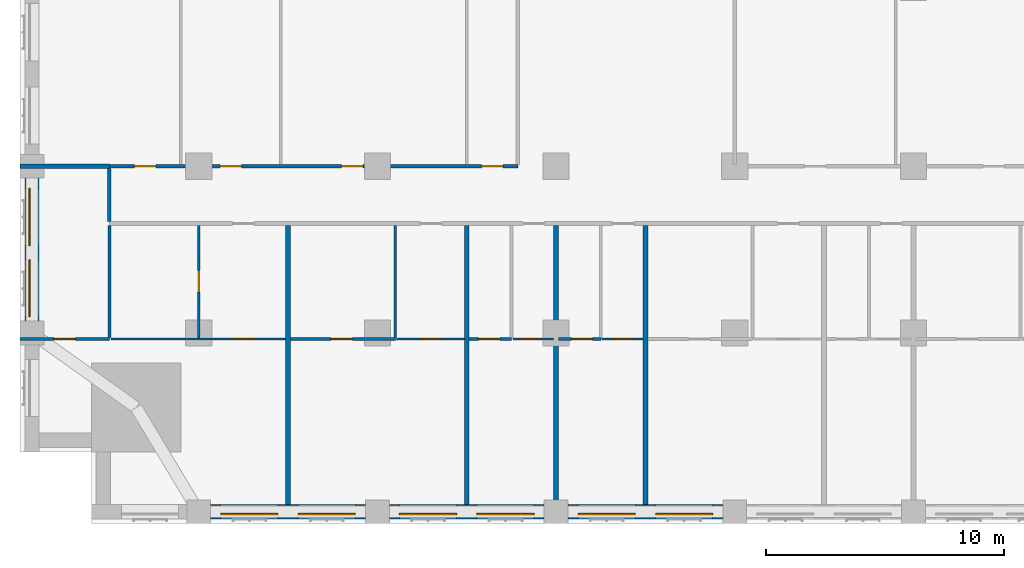
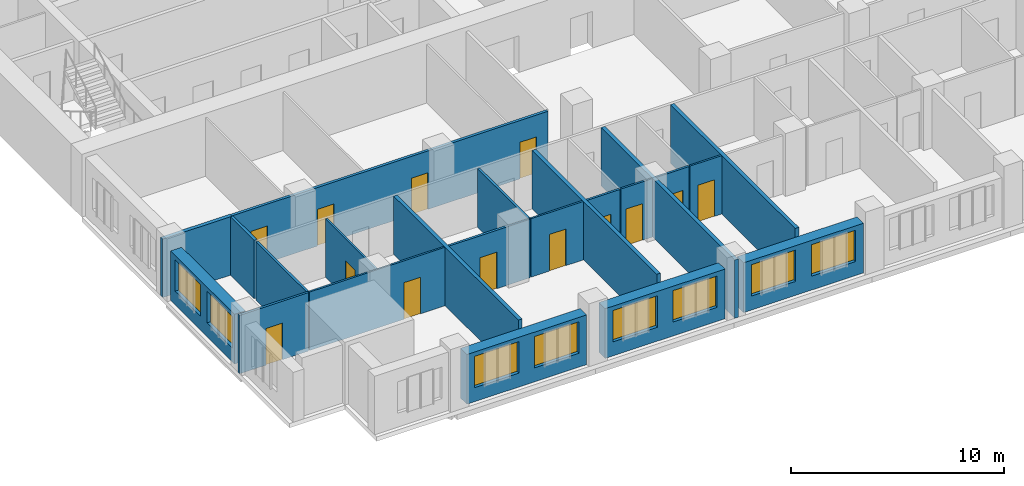
# One storey, part 4 of 14: 22 walls, 13 doors, 8 windows, 21 openings.
"""IFC4 building model written with IfcOpenShell, lengths in metres."""

from ifc_helpers import new_model, si_unit, direction, frame, frame_2d, origin, place, context, subcontext, project, spatial, rectangle, extrude, material, layer, layer_set, type_object, element, fill, save


model = new_model("IFC4")

# Units and contexts
model_context = context("Model", 3, precision=1e-05, world=origin(), true_north=direction((0.0, 1.0)))
body_context = subcontext(model_context, "Body", "Model", "MODEL_VIEW")
ifc_project = project(units=[si_unit("LENGTHUNIT", "METRE"), si_unit("AREAUNIT", "SQUARE_METRE"), si_unit("VOLUMEUNIT", "CUBIC_METRE"), si_unit("PLANEANGLEUNIT", "RADIAN"), si_unit("MASSUNIT", "GRAM", prefix="KILO")], contexts=[model_context])

# Site, building, storey
site_placement = place(None, origin())
site = spatial("IfcSite", under=ifc_project, at=site_placement, CompositionType="ELEMENT")
building_placement = place(site_placement, origin())
building = spatial("IfcBuilding", under=site, at=building_placement, Name="Tamorin Gate", CompositionType="ELEMENT")
storey_placement = place(building_placement, frame((0.0, 0.0, 104.300048828125)))
storey = spatial("IfcBuildingStorey", under=building, at=storey_placement, Name="L25", CompositionType="ELEMENT", Elevation=104.300048828125)

# Wall, openings, windows
ifc_material_1 = material(Name="Precast concrete C40/50", Category="concrete")
ifc_layer_1 = layer(ifc_material_1, 0.60009765625)
ifc_layer_set_1 = layer_set([ifc_layer_1], Name="Precast concrete C40/50")
wall_type_1 = type_object("IfcWallType", Name="Board-marked concrete facade panel 600", PredefinedType="SOLIDWALL", material=ifc_layer_set_1)
wall_1_placement = place(storey_placement, frame((38.0, 38.0, 0.0), z_axis=(0.0, 0.0, 1.0), x_axis=(1.0, 0.0, 0.0)))
wall_1 = element("IfcWall", 1, at=wall_1_placement, inside=storey, type_object=wall_type_1, Name="Facade panel", PredefinedType="SOLIDWALL", context=body_context, shape_type="SweptSolid", body=[
    extrude(rectangle(XDim=6.5, YDim=0.60009765625, at=frame_2d((3.25, 0.0))), origin(), (0.0, 0.0, 1.0), 2.849853515625),
])
opening_1_placement = place(wall_1_placement, frame((0.425048828125, 0.0, 0.800048828125)))
opening_1 = element("IfcOpeningElement", 2, at=opening_1_placement, cuts=wall_1, Name="Opening WN1", PredefinedType="OPENING", context=body_context, shape_type="SweptSolid", body=[
    extrude(rectangle(XDim=2.39990234375, YDim=1.800048828125, at=frame_2d((1.199951171875, 0.89990234375))), frame((0.0, 0.31005859375, 0.0), z_axis=(0.0, -1.0, 0.0), x_axis=(1.0, 0.0, 0.0)), (0.0, 0.0, 1.0), 0.6201171875),
])
opening_2_placement = place(wall_1_placement, frame((3.675048828125, 0.0, 0.800048828125)))
opening_2 = element("IfcOpeningElement", 3, at=opening_2_placement, cuts=wall_1, Name="Opening WN1", PredefinedType="OPENING", context=body_context, shape_type="SweptSolid", body=[
    extrude(rectangle(XDim=2.39990234375, YDim=1.800048828125, at=frame_2d((1.199951171875, 0.89990234375))), frame((0.0, 0.31005859375, 0.0), z_axis=(0.0, -1.0, 0.0), x_axis=(1.0, 0.0, 0.0)), (0.0, 0.0, 1.0), 0.6201171875),
])
ifc_material_2 = material(Name="Clear glass in aluminium frame", Category="aluminium")
window_type = type_object("IfcWindowType", Name="Deep-set window 2400x1800", PartitioningType="SINGLE_PANEL", PredefinedType="WINDOW", material=ifc_material_2)
window_1_placement = place(opening_1_placement, origin())
window_1 = element("IfcWindow", 4, at=window_1_placement, inside=storey, type_object=window_type, Name="Deep-set window", OverallHeight=1.800048828125, OverallWidth=2.39990234375, PartitioningType="SINGLE_PANEL", PredefinedType="WINDOW", context=body_context, shape_type="SweptSolid", body=[
    extrude(rectangle(XDim=2.39990234375, YDim=1.800048828125, at=frame_2d((1.199951171875, 0.89990234375))), frame((0.0, -0.070068359375, 0.0), z_axis=(0.0, -1.0, 0.0), x_axis=(1.0, 0.0, 0.0)), (0.0, 0.0, 1.0), 0.06005859375),
])
fill(opening_1, window_1)
window_2_placement = place(opening_2_placement, origin())
window_2 = element("IfcWindow", 5, at=window_2_placement, inside=storey, type_object=window_type, Name="Deep-set window", OverallHeight=1.800048828125, OverallWidth=2.39990234375, PartitioningType="SINGLE_PANEL", PredefinedType="WINDOW", context=body_context, shape_type="SweptSolid", body=[
    extrude(rectangle(XDim=2.39990234375, YDim=1.800048828125, at=frame_2d((1.199951171875, 0.89990234375))), frame((0.0, -0.070068359375, 0.0), z_axis=(0.0, -1.0, 0.0), x_axis=(1.0, 0.0, 0.0)), (0.0, 0.0, 1.0), 0.06005859375),
])
fill(opening_2, window_2)

wall_2_placement = place(storey_placement, frame((45.5, 38.0, 0.0), z_axis=(0.0, 0.0, 1.0), x_axis=(1.0, 0.0, 0.0)))
wall_2 = element("IfcWall", 6, at=wall_2_placement, inside=storey, type_object=wall_type_1, Name="Facade panel", PredefinedType="SOLIDWALL", context=body_context, shape_type="SweptSolid", body=[
    extrude(rectangle(XDim=6.5, YDim=0.60009765625, at=frame_2d((3.25, 0.0))), origin(), (0.0, 0.0, 1.0), 2.849853515625),
])
opening_3_placement = place(wall_2_placement, frame((0.425048828125, 0.0, 0.800048828125)))
opening_3 = element("IfcOpeningElement", 7, at=opening_3_placement, cuts=wall_2, Name="Opening WN1", PredefinedType="OPENING", context=body_context, shape_type="SweptSolid", body=[
    extrude(rectangle(XDim=2.39990234375, YDim=1.800048828125, at=frame_2d((1.199951171875, 0.89990234375))), frame((0.0, 0.31005859375, 0.0), z_axis=(0.0, -1.0, 0.0), x_axis=(1.0, 0.0, 0.0)), (0.0, 0.0, 1.0), 0.6201171875),
])
opening_4_placement = place(wall_2_placement, frame((3.675048828125, 0.0, 0.800048828125)))
opening_4 = element("IfcOpeningElement", 8, at=opening_4_placement, cuts=wall_2, Name="Opening WN1", PredefinedType="OPENING", context=body_context, shape_type="SweptSolid", body=[
    extrude(rectangle(XDim=2.39990234375, YDim=1.800048828125, at=frame_2d((1.199951171875, 0.89990234375))), frame((0.0, 0.31005859375, 0.0), z_axis=(0.0, -1.0, 0.0), x_axis=(1.0, 0.0, 0.0)), (0.0, 0.0, 1.0), 0.6201171875),
])
window_3_placement = place(opening_3_placement, origin())
window_3 = element("IfcWindow", 9, at=window_3_placement, inside=storey, type_object=window_type, Name="Deep-set window", OverallHeight=1.800048828125, OverallWidth=2.39990234375, PartitioningType="SINGLE_PANEL", PredefinedType="WINDOW", context=body_context, shape_type="SweptSolid", body=[
    extrude(rectangle(XDim=2.39990234375, YDim=1.800048828125, at=frame_2d((1.199951171875, 0.89990234375))), frame((0.0, -0.070068359375, 0.0), z_axis=(0.0, -1.0, 0.0), x_axis=(1.0, 0.0, 0.0)), (0.0, 0.0, 1.0), 0.06005859375),
])
fill(opening_3, window_3)
window_4_placement = place(opening_4_placement, origin())
window_4 = element("IfcWindow", 10, at=window_4_placement, inside=storey, type_object=window_type, Name="Deep-set window", OverallHeight=1.800048828125, OverallWidth=2.39990234375, PartitioningType="SINGLE_PANEL", PredefinedType="WINDOW", context=body_context, shape_type="SweptSolid", body=[
    extrude(rectangle(XDim=2.39990234375, YDim=1.800048828125, at=frame_2d((1.199951171875, 0.89990234375))), frame((0.0, -0.070068359375, 0.0), z_axis=(0.0, -1.0, 0.0), x_axis=(1.0, 0.0, 0.0)), (0.0, 0.0, 1.0), 0.06005859375),
])
fill(opening_4, window_4)

wall_3_placement = place(storey_placement, frame((53.0, 38.0, 0.0), z_axis=(0.0, 0.0, 1.0), x_axis=(1.0, 0.0, 0.0)))
wall_3 = element("IfcWall", 11, at=wall_3_placement, inside=storey, type_object=wall_type_1, Name="Facade panel", PredefinedType="SOLIDWALL", context=body_context, shape_type="SweptSolid", body=[
    extrude(rectangle(XDim=6.5, YDim=0.60009765625, at=frame_2d((3.25, 0.0))), origin(), (0.0, 0.0, 1.0), 2.849853515625),
])
opening_5_placement = place(wall_3_placement, frame((0.425048828125, 0.0, 0.800048828125)))
opening_5 = element("IfcOpeningElement", 12, at=opening_5_placement, cuts=wall_3, Name="Opening WN1", PredefinedType="OPENING", context=body_context, shape_type="SweptSolid", body=[
    extrude(rectangle(XDim=2.39990234375, YDim=1.800048828125, at=frame_2d((1.199951171875, 0.89990234375))), frame((0.0, 0.31005859375, 0.0), z_axis=(0.0, -1.0, 0.0), x_axis=(1.0, 0.0, 0.0)), (0.0, 0.0, 1.0), 0.6201171875),
])
opening_6_placement = place(wall_3_placement, frame((3.675048828125, 0.0, 0.800048828125)))
opening_6 = element("IfcOpeningElement", 13, at=opening_6_placement, cuts=wall_3, Name="Opening WN1", PredefinedType="OPENING", context=body_context, shape_type="SweptSolid", body=[
    extrude(rectangle(XDim=2.39990234375, YDim=1.800048828125, at=frame_2d((1.199951171875, 0.89990234375))), frame((0.0, 0.31005859375, 0.0), z_axis=(0.0, -1.0, 0.0), x_axis=(1.0, 0.0, 0.0)), (0.0, 0.0, 1.0), 0.6201171875),
])
window_5_placement = place(opening_5_placement, origin())
window_5 = element("IfcWindow", 14, at=window_5_placement, inside=storey, type_object=window_type, Name="Deep-set window", OverallHeight=1.800048828125, OverallWidth=2.39990234375, PartitioningType="SINGLE_PANEL", PredefinedType="WINDOW", context=body_context, shape_type="SweptSolid", body=[
    extrude(rectangle(XDim=2.39990234375, YDim=1.800048828125, at=frame_2d((1.199951171875, 0.89990234375))), frame((0.0, -0.070068359375, 0.0), z_axis=(0.0, -1.0, 0.0), x_axis=(1.0, 0.0, 0.0)), (0.0, 0.0, 1.0), 0.06005859375),
])
fill(opening_5, window_5)
window_6_placement = place(opening_6_placement, origin())
window_6 = element("IfcWindow", 15, at=window_6_placement, inside=storey, type_object=window_type, Name="Deep-set window", OverallHeight=1.800048828125, OverallWidth=2.39990234375, PartitioningType="SINGLE_PANEL", PredefinedType="WINDOW", context=body_context, shape_type="SweptSolid", body=[
    extrude(rectangle(XDim=2.39990234375, YDim=1.800048828125, at=frame_2d((1.199951171875, 0.89990234375))), frame((0.0, -0.070068359375, 0.0), z_axis=(0.0, -1.0, 0.0), x_axis=(1.0, 0.0, 0.0)), (0.0, 0.0, 1.0), 0.06005859375),
])
fill(opening_6, window_6)

wall_4_placement = place(storey_placement, frame((30.5, 52.0, 0.0), z_axis=(0.0, 0.0, 1.0), x_axis=(0.0, -1.0, 0.0)))
wall_4 = element("IfcWall", 16, at=wall_4_placement, inside=storey, type_object=wall_type_1, Name="Facade panel", PredefinedType="SOLIDWALL", context=body_context, shape_type="SweptSolid", body=[
    extrude(rectangle(XDim=6.0, YDim=0.60009765625, at=frame_2d((3.0, 0.0))), origin(), (0.0, 0.0, 1.0), 2.849853515625),
])
opening_7_placement = place(wall_4_placement, frame((3.425048828125, 0.0, 0.800048828125)))
opening_7 = element("IfcOpeningElement", 17, at=opening_7_placement, cuts=wall_4, Name="Opening WN1", PredefinedType="OPENING", context=body_context, shape_type="SweptSolid", body=[
    extrude(rectangle(XDim=2.39990234375, YDim=1.800048828125, at=frame_2d((1.199951171875, 0.89990234375))), frame((0.0, 0.31005859375, 0.0), z_axis=(0.0, -1.0, 0.0), x_axis=(1.0, 0.0, 0.0)), (0.0, 0.0, 1.0), 0.6201171875),
])
opening_8_placement = place(wall_4_placement, frame((0.425048828125, 0.0, 0.800048828125)))
opening_8 = element("IfcOpeningElement", 18, at=opening_8_placement, cuts=wall_4, Name="Opening WN1", PredefinedType="OPENING", context=body_context, shape_type="SweptSolid", body=[
    extrude(rectangle(XDim=2.39990234375, YDim=1.800048828125, at=frame_2d((1.199951171875, 0.89990234375))), frame((0.0, 0.31005859375, 0.0), z_axis=(0.0, -1.0, 0.0), x_axis=(1.0, 0.0, 0.0)), (0.0, 0.0, 1.0), 0.6201171875),
])
window_7_placement = place(opening_7_placement, origin())
window_7 = element("IfcWindow", 19, at=window_7_placement, inside=storey, type_object=window_type, Name="Deep-set window", OverallHeight=1.800048828125, OverallWidth=2.39990234375, PartitioningType="SINGLE_PANEL", PredefinedType="WINDOW", context=body_context, shape_type="SweptSolid", body=[
    extrude(rectangle(XDim=2.39990234375, YDim=1.800048828125, at=frame_2d((1.199951171875, 0.89990234375))), frame((0.0, -0.070068359375, 0.0), z_axis=(0.0, -1.0, 0.0), x_axis=(1.0, 0.0, 0.0)), (0.0, 0.0, 1.0), 0.06005859375),
])
fill(opening_7, window_7)
window_8_placement = place(opening_8_placement, origin())
window_8 = element("IfcWindow", 20, at=window_8_placement, inside=storey, type_object=window_type, Name="Deep-set window", OverallHeight=1.800048828125, OverallWidth=2.39990234375, PartitioningType="SINGLE_PANEL", PredefinedType="WINDOW", context=body_context, shape_type="SweptSolid", body=[
    extrude(rectangle(XDim=2.39990234375, YDim=1.800048828125, at=frame_2d((1.199951171875, 0.89990234375))), frame((0.0, -0.070068359375, 0.0), z_axis=(0.0, -1.0, 0.0), x_axis=(1.0, 0.0, 0.0)), (0.0, 0.0, 1.0), 0.06005859375),
])
fill(opening_8, window_8)

# Wall, openings, doors
ifc_material_3 = material(Name="Gypsum board partition")
ifc_layer_2 = layer(ifc_material_3, 0.14990234375)
ifc_layer_set_2 = layer_set([ifc_layer_2], Name="Corridor wall 150")
wall_type_2 = type_object("IfcWallType", Name="Corridor wall 150", PredefinedType="PARTITIONING", material=ifc_layer_set_2)
wall_5_placement = place(storey_placement, frame((33.75, 52.5, 0.0), z_axis=(0.0, 0.0, 1.0), x_axis=(1.0, 0.0, 0.0)))
wall_5 = element("IfcWall", 21, at=wall_5_placement, inside=storey, type_object=wall_type_2, Name="Corridor wall 150", PredefinedType="PARTITIONING", context=body_context, shape_type="SweptSolid", body=[
    extrude(rectangle(XDim=17.14990234375, YDim=0.14990234375, at=frame_2d((8.574951171875, 0.0))), origin(), (0.0, 0.0, 1.0), 3.349853515625),
])
opening_9_placement = place(wall_5_placement, frame((1.050048828125, 0.0, 0.0)))
opening_9 = element("IfcOpeningElement", 22, at=opening_9_placement, cuts=wall_5, Name="Opening DH8072", PredefinedType="OPENING", context=body_context, shape_type="SweptSolid", body=[
    extrude(rectangle(XDim=0.89990234375, YDim=2.10009765625, at=frame_2d((0.449951171875, 1.050048828125))), frame((0.0, 0.0849609375, 0.0), z_axis=(0.0, -1.0, 0.0), x_axis=(1.0, 0.0, 0.0)), (0.0, 0.0, 1.0), 0.169921875),
])
opening_10_placement = place(wall_5_placement, frame((4.64990234375, 0.0, 0.0)))
opening_10 = element("IfcOpeningElement", 23, at=opening_10_placement, cuts=wall_5, Name="Opening DH8073", PredefinedType="OPENING", context=body_context, shape_type="SweptSolid", body=[
    extrude(rectangle(XDim=0.89990234375, YDim=2.10009765625, at=frame_2d((0.449951171875, 1.050048828125))), frame((0.0, 0.0849609375, 0.0), z_axis=(0.0, -1.0, 0.0), x_axis=(1.0, 0.0, 0.0)), (0.0, 0.0, 1.0), 0.169921875),
])
opening_11_placement = place(wall_5_placement, frame((9.75, 0.0, 0.0)))
opening_11 = element("IfcOpeningElement", 24, at=opening_11_placement, cuts=wall_5, Name="Opening DH8074", PredefinedType="OPENING", context=body_context, shape_type="SweptSolid", body=[
    extrude(rectangle(XDim=0.89990234375, YDim=2.10009765625, at=frame_2d((0.449951171875, 1.050048828125))), frame((0.0, 0.0849609375, 0.0), z_axis=(0.0, -1.0, 0.0), x_axis=(1.0, 0.0, 0.0)), (0.0, 0.0, 1.0), 0.169921875),
])
opening_12_placement = place(wall_5_placement, frame((15.625, 0.0, 0.0)))
opening_12 = element("IfcOpeningElement", 25, at=opening_12_placement, cuts=wall_5, Name="Opening DH8075", PredefinedType="OPENING", context=body_context, shape_type="SweptSolid", body=[
    extrude(rectangle(XDim=0.89990234375, YDim=2.10009765625, at=frame_2d((0.449951171875, 1.050048828125))), frame((0.0, 0.0849609375, 0.0), z_axis=(0.0, -1.0, 0.0), x_axis=(1.0, 0.0, 0.0)), (0.0, 0.0, 1.0), 0.169921875),
])
ifc_material_4 = material(Name="Timber door leaf", Category="wood")
door_type_1 = type_object("IfcDoorType", Name="Door 900 x 2100 FD30S", OperationType="NOTDEFINED", PredefinedType="DOOR", material=ifc_material_4)
door_1_placement = place(opening_9_placement, origin())
door_1 = element("IfcDoor", 26, at=door_1_placement, inside=storey, type_object=door_type_1, Name="Door DH8072", OperationType="SINGLE_SWING_LEFT", OverallHeight=2.10009765625, OverallWidth=0.89990234375, PredefinedType="DOOR", context=body_context, shape_type="SweptSolid", body=[
    extrude(rectangle(XDim=0.89990234375, YDim=2.10009765625, at=frame_2d((0.449951171875, 1.050048828125))), frame((0.0, 0.02490234375, 0.0), z_axis=(0.0, -1.0, 0.0), x_axis=(1.0, 0.0, 0.0)), (0.0, 0.0, 1.0), 0.050048828125),
])
fill(opening_9, door_1)
door_2_placement = place(opening_10_placement, origin())
door_2 = element("IfcDoor", 27, at=door_2_placement, inside=storey, type_object=door_type_1, Name="Door DH8073", OperationType="SINGLE_SWING_LEFT", OverallHeight=2.10009765625, OverallWidth=0.89990234375, PredefinedType="DOOR", context=body_context, shape_type="SweptSolid", body=[
    extrude(rectangle(XDim=0.89990234375, YDim=2.10009765625, at=frame_2d((0.449951171875, 1.050048828125))), frame((0.0, 0.02490234375, 0.0), z_axis=(0.0, -1.0, 0.0), x_axis=(1.0, 0.0, 0.0)), (0.0, 0.0, 1.0), 0.050048828125),
])
fill(opening_10, door_2)
door_3_placement = place(opening_11_placement, origin())
door_3 = element("IfcDoor", 28, at=door_3_placement, inside=storey, type_object=door_type_1, Name="Door DH8074", OperationType="SINGLE_SWING_LEFT", OverallHeight=2.10009765625, OverallWidth=0.89990234375, PredefinedType="DOOR", context=body_context, shape_type="SweptSolid", body=[
    extrude(rectangle(XDim=0.89990234375, YDim=2.10009765625, at=frame_2d((0.449951171875, 1.050048828125))), frame((0.0, 0.02490234375, 0.0), z_axis=(0.0, -1.0, 0.0), x_axis=(1.0, 0.0, 0.0)), (0.0, 0.0, 1.0), 0.050048828125),
])
fill(opening_11, door_3)
door_4_placement = place(opening_12_placement, origin())
door_4 = element("IfcDoor", 29, at=door_4_placement, inside=storey, type_object=door_type_1, Name="Door DH8075", OperationType="SINGLE_SWING_LEFT", OverallHeight=2.10009765625, OverallWidth=0.89990234375, PredefinedType="DOOR", context=body_context, shape_type="SweptSolid", body=[
    extrude(rectangle(XDim=0.89990234375, YDim=2.10009765625, at=frame_2d((0.449951171875, 1.050048828125))), frame((0.0, 0.02490234375, 0.0), z_axis=(0.0, -1.0, 0.0), x_axis=(1.0, 0.0, 0.0)), (0.0, 0.0, 1.0), 0.050048828125),
])
fill(opening_12, door_4)

# Walls
wall_6_placement = place(storey_placement, frame((33.75, 50.175048828125, 0.0), z_axis=(0.0, 0.0, 1.0), x_axis=(0.0, 1.0, 0.0)))
element("IfcWall", 30, at=wall_6_placement, inside=storey, type_object=wall_type_2, Name="Corridor wall 150", PredefinedType="PARTITIONING", context=body_context, shape_type="SweptSolid", body=[
    extrude(rectangle(XDim=2.224853515625, YDim=0.14990234375, at=frame_2d((1.1123046875, 0.0))), origin(), (0.0, 0.0, 1.0), 3.349853515625),
])
ifc_layer_3 = layer(ifc_material_3, 0.199951171875)
ifc_layer_set_3 = layer_set([ifc_layer_3], Name="Demising wall 200")
wall_type_3 = type_object("IfcWallType", Name="Demising wall 200", PredefinedType="PARTITIONING", material=ifc_layer_set_3)
wall_7_placement = place(storey_placement, frame((30.0, 52.5, 0.0), z_axis=(0.0, 0.0, 1.0), x_axis=(1.0, 0.0, 0.0)))
element("IfcWall", 31, at=wall_7_placement, inside=storey, type_object=wall_type_3, Name="Demising wall 200", PredefinedType="PARTITIONING", context=body_context, shape_type="SweptSolid", body=[
    extrude(rectangle(XDim=3.75, YDim=0.199951171875, at=frame_2d((1.875, 0.0))), origin(), (0.0, 0.0, 1.0), 3.349853515625),
])
for number, where, z_axis, x_axis, name in (
    (32, (41.25, 38.31005859375, 0.0), (0.0, 0.0, 1.0), (0.0, 1.0, 0.0), "Demising wall 200"),
    (33, (48.75, 38.31005859375, 0.0), (0.0, 0.0, 1.0), (0.0, 1.0, 0.0), "Demising wall 200"),
):
    element("IfcWall", number, at=place(storey_placement, frame(where, z_axis=z_axis, x_axis=x_axis)), inside=storey, type_object=wall_type_3, Name=name, PredefinedType="PARTITIONING", context=body_context, shape_type="SweptSolid", body=[
        extrude(rectangle(XDim=11.71484375, YDim=0.199951171875, at=frame_2d((5.857421875, 0.0))), origin(), (0.0, 0.0, 1.0), 3.349853515625),
    ])
wall_8_placement = place(storey_placement, frame((52.5, 37.5, 0.0), z_axis=(0.0, 0.0, 1.0), x_axis=(0.0, 1.0, 0.0)))
element("IfcWall", 34, at=wall_8_placement, inside=storey, type_object=wall_type_3, Name="Demising wall 200", PredefinedType="PARTITIONING", context=body_context, shape_type="SweptSolid", body=[
    extrude(rectangle(XDim=12.52490234375, YDim=0.199951171875, at=frame_2d((6.262451171875, 0.0))), origin(), (0.0, 0.0, 1.0), 3.349853515625),
])
wall_9_placement = place(storey_placement, frame((56.25, 38.31005859375, 0.0), z_axis=(0.0, 0.0, 1.0), x_axis=(0.0, 1.0, 0.0)))
element("IfcWall", 35, at=wall_9_placement, inside=storey, type_object=wall_type_3, Name="Demising wall 200", PredefinedType="PARTITIONING", context=body_context, shape_type="SweptSolid", body=[
    extrude(rectangle(XDim=11.71484375, YDim=0.199951171875, at=frame_2d((5.857421875, 0.0))), origin(), (0.0, 0.0, 1.0), 3.349853515625),
])

# Wall, opening, door
ifc_layer_4 = layer(ifc_material_3, 0.10009765625)
ifc_layer_set_4 = layer_set([ifc_layer_4], Name="Room partition 100")
wall_type_4 = type_object("IfcWallType", Name="Room partition 100", PredefinedType="PARTITIONING", material=ifc_layer_set_4)
wall_10_placement = place(storey_placement, frame((33.8125, 45.25, 0.0), z_axis=(0.0, 0.0, 1.0), x_axis=(1.0, 0.0, 0.0)))
wall_10 = element("IfcWall", 36, at=wall_10_placement, inside=storey, type_object=wall_type_4, Name="Room partition 100", PredefinedType="PARTITIONING", context=body_context, shape_type="SweptSolid", body=[
    extrude(rectangle(XDim=7.33740234375, YDim=0.10009765625, at=frame_2d((3.668701171875, 0.0))), origin(), (0.0, 0.0, 1.0), 3.349853515625),
])
opening_13_placement = place(wall_10_placement, frame((5.112548828125, 0.0, 0.0)))
opening_13 = element("IfcOpeningElement", 37, at=opening_13_placement, cuts=wall_10, Name="Opening DH8004", PredefinedType="OPENING", context=body_context, shape_type="SweptSolid", body=[
    extrude(rectangle(XDim=0.89990234375, YDim=2.10009765625, at=frame_2d((0.449951171875, 1.050048828125))), frame((0.0, 0.06005859375, 0.0), z_axis=(0.0, -1.0, 0.0), x_axis=(1.0, 0.0, 0.0)), (0.0, 0.0, 1.0), 0.1201171875),
])
door_type_2 = type_object("IfcDoorType", Name="Door 900 x 2100", OperationType="NOTDEFINED", PredefinedType="DOOR", material=ifc_material_4)
door_5_placement = place(opening_13_placement, origin())
door_5 = element("IfcDoor", 38, at=door_5_placement, inside=storey, type_object=door_type_2, Name="Door DH8004", OperationType="SINGLE_SWING_LEFT", OverallHeight=2.10009765625, OverallWidth=0.89990234375, PredefinedType="DOOR", context=body_context, shape_type="SweptSolid", body=[
    extrude(rectangle(XDim=0.89990234375, YDim=2.10009765625, at=frame_2d((0.449951171875, 1.050048828125))), frame((0.0, 0.02490234375, 0.0), z_axis=(0.0, -1.0, 0.0), x_axis=(1.0, 0.0, 0.0)), (0.0, 0.0, 1.0), 0.050048828125),
])
fill(opening_13, door_5)

wall_11_placement = place(storey_placement, frame((45.8125, 45.25, 0.0), z_axis=(0.0, 0.0, 1.0), x_axis=(1.0, 0.0, 0.0)))
wall_11 = element("IfcWall", 39, at=wall_11_placement, inside=storey, type_object=wall_type_4, Name="Room partition 100", PredefinedType="PARTITIONING", context=body_context, shape_type="SweptSolid", body=[
    extrude(rectangle(XDim=2.83740234375, YDim=0.10009765625, at=frame_2d((1.418701171875, 0.0))), origin(), (0.0, 0.0, 1.0), 3.349853515625),
])
opening_14_placement = place(wall_11_placement, frame((0.987548828125, 0.0, 0.0)))
opening_14 = element("IfcOpeningElement", 40, at=opening_14_placement, cuts=wall_11, Name="Opening DH8007", PredefinedType="OPENING", context=body_context, shape_type="SweptSolid", body=[
    extrude(rectangle(XDim=0.89990234375, YDim=2.10009765625, at=frame_2d((0.449951171875, 1.050048828125))), frame((0.0, 0.06005859375, 0.0), z_axis=(0.0, -1.0, 0.0), x_axis=(1.0, 0.0, 0.0)), (0.0, 0.0, 1.0), 0.1201171875),
])
door_6_placement = place(opening_14_placement, origin())
door_6 = element("IfcDoor", 41, at=door_6_placement, inside=storey, type_object=door_type_2, Name="Door DH8007", OperationType="SINGLE_SWING_LEFT", OverallHeight=2.10009765625, OverallWidth=0.89990234375, PredefinedType="DOOR", context=body_context, shape_type="SweptSolid", body=[
    extrude(rectangle(XDim=0.89990234375, YDim=2.10009765625, at=frame_2d((0.449951171875, 1.050048828125))), frame((0.0, 0.02490234375, 0.0), z_axis=(0.0, -1.0, 0.0), x_axis=(1.0, 0.0, 0.0)), (0.0, 0.0, 1.0), 0.050048828125),
])
fill(opening_14, door_6)

wall_12_placement = place(storey_placement, frame((50.6875, 45.25, 0.0), z_axis=(0.0, 0.0, 1.0), x_axis=(1.0, 0.0, 0.0)))
wall_12 = element("IfcWall", 42, at=wall_12_placement, inside=storey, type_object=wall_type_4, Name="Room partition 100", PredefinedType="PARTITIONING", context=body_context, shape_type="SweptSolid", body=[
    extrude(rectangle(XDim=1.71240234375, YDim=0.10009765625, at=frame_2d((0.856201171875, 0.0))), origin(), (0.0, 0.0, 1.0), 3.349853515625),
])
opening_15_placement = place(wall_12_placement, frame((0.27490234375, 0.0, 0.0)))
opening_15 = element("IfcOpeningElement", 43, at=opening_15_placement, cuts=wall_12, Name="Opening DH8010", PredefinedType="OPENING", context=body_context, shape_type="SweptSolid", body=[
    extrude(rectangle(XDim=0.89990234375, YDim=2.10009765625, at=frame_2d((0.449951171875, 1.050048828125))), frame((0.0, 0.06005859375, 0.0), z_axis=(0.0, -1.0, 0.0), x_axis=(1.0, 0.0, 0.0)), (0.0, 0.0, 1.0), 0.1201171875),
])
door_7_placement = place(opening_15_placement, origin())
door_7 = element("IfcDoor", 44, at=door_7_placement, inside=storey, type_object=door_type_2, Name="Door DH8010", OperationType="SINGLE_SWING_LEFT", OverallHeight=2.10009765625, OverallWidth=0.89990234375, PredefinedType="DOOR", context=body_context, shape_type="SweptSolid", body=[
    extrude(rectangle(XDim=0.89990234375, YDim=2.10009765625, at=frame_2d((0.449951171875, 1.050048828125))), frame((0.0, 0.02490234375, 0.0), z_axis=(0.0, -1.0, 0.0), x_axis=(1.0, 0.0, 0.0)), (0.0, 0.0, 1.0), 0.050048828125),
])
fill(opening_15, door_7)

wall_13_placement = place(storey_placement, frame((54.4375, 45.25, 0.0), z_axis=(0.0, 0.0, 1.0), x_axis=(1.0, 0.0, 0.0)))
wall_13 = element("IfcWall", 45, at=wall_13_placement, inside=storey, type_object=wall_type_4, Name="Room partition 100", PredefinedType="PARTITIONING", context=body_context, shape_type="SweptSolid", body=[
    extrude(rectangle(XDim=1.71240234375, YDim=0.10009765625, at=frame_2d((0.856201171875, 0.0))), origin(), (0.0, 0.0, 1.0), 3.349853515625),
])
opening_16_placement = place(wall_13_placement, frame((0.425048828125, 0.0, 0.0)))
opening_16 = element("IfcOpeningElement", 46, at=opening_16_placement, cuts=wall_13, Name="Opening DH8013", PredefinedType="OPENING", context=body_context, shape_type="SweptSolid", body=[
    extrude(rectangle(XDim=0.89990234375, YDim=2.10009765625, at=frame_2d((0.449951171875, 1.050048828125))), frame((0.0, 0.06005859375, 0.0), z_axis=(0.0, -1.0, 0.0), x_axis=(1.0, 0.0, 0.0)), (0.0, 0.0, 1.0), 0.1201171875),
])
door_8_placement = place(opening_16_placement, origin())
door_8 = element("IfcDoor", 47, at=door_8_placement, inside=storey, type_object=door_type_2, Name="Door DH8013", OperationType="SINGLE_SWING_LEFT", OverallHeight=2.10009765625, OverallWidth=0.89990234375, PredefinedType="DOOR", context=body_context, shape_type="SweptSolid", body=[
    extrude(rectangle(XDim=0.89990234375, YDim=2.10009765625, at=frame_2d((0.449951171875, 1.050048828125))), frame((0.0, 0.02490234375, 0.0), z_axis=(0.0, -1.0, 0.0), x_axis=(1.0, 0.0, 0.0)), (0.0, 0.0, 1.0), 0.050048828125),
])
fill(opening_16, door_8)

wall_14_placement = place(storey_placement, frame((37.5, 45.300048828125, 0.0), z_axis=(0.0, 0.0, 1.0), x_axis=(0.0, 1.0, 0.0)))
wall_14 = element("IfcWall", 48, at=wall_14_placement, inside=storey, type_object=wall_type_4, Name="Room partition 100", PredefinedType="PARTITIONING", context=body_context, shape_type="SweptSolid", body=[
    extrude(rectangle(XDim=4.724853515625, YDim=0.10009765625, at=frame_2d((2.3623046875, 0.0))), origin(), (0.0, 0.0, 1.0), 3.349853515625),
])
opening_17_placement = place(wall_14_placement, frame((1.925048828125, 0.0, 0.0)))
opening_17 = element("IfcOpeningElement", 49, at=opening_17_placement, cuts=wall_14, Name="Opening DH8002", PredefinedType="OPENING", context=body_context, shape_type="SweptSolid", body=[
    extrude(rectangle(XDim=0.89990234375, YDim=2.10009765625, at=frame_2d((0.449951171875, 1.050048828125))), frame((0.0, 0.06005859375, 0.0), z_axis=(0.0, -1.0, 0.0), x_axis=(1.0, 0.0, 0.0)), (0.0, 0.0, 1.0), 0.1201171875),
])
door_9_placement = place(opening_17_placement, origin())
door_9 = element("IfcDoor", 50, at=door_9_placement, inside=storey, type_object=door_type_2, Name="Door DH8002", OperationType="SINGLE_SWING_RIGHT", OverallHeight=2.10009765625, OverallWidth=0.89990234375, PredefinedType="DOOR", context=body_context, shape_type="SweptSolid", body=[
    extrude(rectangle(XDim=0.89990234375, YDim=2.10009765625, at=frame_2d((0.449951171875, 1.050048828125))), frame((0.0, 0.02490234375, 0.0), z_axis=(0.0, -1.0, 0.0), x_axis=(1.0, 0.0, 0.0)), (0.0, 0.0, 1.0), 0.050048828125),
])
fill(opening_17, door_9)

ifc_layer_5 = layer(ifc_material_3, 0.125)
ifc_layer_set_5 = layer_set([ifc_layer_5], Name="Wet wall 125")
wall_type_5 = type_object("IfcWallType", Name="Wet wall 125", PredefinedType="PARTITIONING", material=ifc_layer_set_5)
wall_15_placement = place(storey_placement, frame((30.0, 45.25, 0.0), z_axis=(0.0, 0.0, 1.0), x_axis=(1.0, 0.0, 0.0)))
wall_15 = element("IfcWall", 51, at=wall_15_placement, inside=storey, type_object=wall_type_5, Name="Wet wall 125", PredefinedType="PARTITIONING", context=body_context, shape_type="SweptSolid", body=[
    extrude(rectangle(XDim=3.75, YDim=0.125, at=frame_2d((1.875, 0.0))), origin(), (0.0, 0.0, 1.0), 3.349853515625),
])
opening_18_placement = place(wall_15_placement, frame((1.425048828125, 0.0, 0.0)))
opening_18 = element("IfcOpeningElement", 52, at=opening_18_placement, cuts=wall_15, Name="Opening DH8001", PredefinedType="OPENING", context=body_context, shape_type="SweptSolid", body=[
    extrude(rectangle(XDim=0.89990234375, YDim=2.10009765625, at=frame_2d((0.449951171875, 1.050048828125))), frame((0.0, 0.072509765625, 0.0), z_axis=(0.0, -1.0, 0.0), x_axis=(1.0, 0.0, 0.0)), (0.0, 0.0, 1.0), 0.14501953125),
])
door_10_placement = place(opening_18_placement, origin())
door_10 = element("IfcDoor", 53, at=door_10_placement, inside=storey, type_object=door_type_2, Name="Door DH8001", OperationType="SINGLE_SWING_LEFT", OverallHeight=2.10009765625, OverallWidth=0.89990234375, PredefinedType="DOOR", context=body_context, shape_type="SweptSolid", body=[
    extrude(rectangle(XDim=0.89990234375, YDim=2.10009765625, at=frame_2d((0.449951171875, 1.050048828125))), frame((0.0, 0.02490234375, 0.0), z_axis=(0.0, -1.0, 0.0), x_axis=(1.0, 0.0, 0.0)), (0.0, 0.0, 1.0), 0.050048828125),
])
fill(opening_18, door_10)

wall_16_placement = place(storey_placement, frame((41.35009765625, 45.25, 0.0), z_axis=(0.0, 0.0, 1.0), x_axis=(1.0, 0.0, 0.0)))
wall_16 = element("IfcWall", 54, at=wall_16_placement, inside=storey, type_object=wall_type_5, Name="Wet wall 125", PredefinedType="PARTITIONING", context=body_context, shape_type="SweptSolid", body=[
    extrude(rectangle(XDim=4.39990234375, YDim=0.125, at=frame_2d((2.199951171875, 0.0))), origin(), (0.0, 0.0, 1.0), 3.349853515625),
])
opening_19_placement = place(wall_16_placement, frame((1.699951171875, 0.0, 0.0)))
opening_19 = element("IfcOpeningElement", 55, at=opening_19_placement, cuts=wall_16, Name="Opening DH8005", PredefinedType="OPENING", context=body_context, shape_type="SweptSolid", body=[
    extrude(rectangle(XDim=0.89990234375, YDim=2.10009765625, at=frame_2d((0.449951171875, 1.050048828125))), frame((0.0, 0.072509765625, 0.0), z_axis=(0.0, -1.0, 0.0), x_axis=(1.0, 0.0, 0.0)), (0.0, 0.0, 1.0), 0.14501953125),
])
door_11_placement = place(opening_19_placement, origin())
door_11 = element("IfcDoor", 56, at=door_11_placement, inside=storey, type_object=door_type_2, Name="Door DH8005", OperationType="SINGLE_SWING_LEFT", OverallHeight=2.10009765625, OverallWidth=0.89990234375, PredefinedType="DOOR", context=body_context, shape_type="SweptSolid", body=[
    extrude(rectangle(XDim=0.89990234375, YDim=2.10009765625, at=frame_2d((0.449951171875, 1.050048828125))), frame((0.0, 0.02490234375, 0.0), z_axis=(0.0, -1.0, 0.0), x_axis=(1.0, 0.0, 0.0)), (0.0, 0.0, 1.0), 0.050048828125),
])
fill(opening_19, door_11)

wall_17_placement = place(storey_placement, frame((48.85009765625, 45.25, 0.0), z_axis=(0.0, 0.0, 1.0), x_axis=(1.0, 0.0, 0.0)))
wall_17 = element("IfcWall", 57, at=wall_17_placement, inside=storey, type_object=wall_type_5, Name="Wet wall 125", PredefinedType="PARTITIONING", context=body_context, shape_type="SweptSolid", body=[
    extrude(rectangle(XDim=1.77490234375, YDim=0.125, at=frame_2d((0.887451171875, 0.0))), origin(), (0.0, 0.0, 1.0), 3.349853515625),
])
opening_20_placement = place(wall_17_placement, frame((0.387451171875, 0.0, 0.0)))
opening_20 = element("IfcOpeningElement", 58, at=opening_20_placement, cuts=wall_17, Name="Opening DH8008", PredefinedType="OPENING", context=body_context, shape_type="SweptSolid", body=[
    extrude(rectangle(XDim=0.89990234375, YDim=2.10009765625, at=frame_2d((0.449951171875, 1.050048828125))), frame((0.0, 0.072509765625, 0.0), z_axis=(0.0, -1.0, 0.0), x_axis=(1.0, 0.0, 0.0)), (0.0, 0.0, 1.0), 0.14501953125),
])
door_12_placement = place(opening_20_placement, origin())
door_12 = element("IfcDoor", 59, at=door_12_placement, inside=storey, type_object=door_type_2, Name="Door DH8008", OperationType="SINGLE_SWING_LEFT", OverallHeight=2.10009765625, OverallWidth=0.89990234375, PredefinedType="DOOR", context=body_context, shape_type="SweptSolid", body=[
    extrude(rectangle(XDim=0.89990234375, YDim=2.10009765625, at=frame_2d((0.449951171875, 1.050048828125))), frame((0.0, 0.02490234375, 0.0), z_axis=(0.0, -1.0, 0.0), x_axis=(1.0, 0.0, 0.0)), (0.0, 0.0, 1.0), 0.050048828125),
])
fill(opening_20, door_12)

wall_18_placement = place(storey_placement, frame((52.60009765625, 45.25, 0.0), z_axis=(0.0, 0.0, 1.0), x_axis=(1.0, 0.0, 0.0)))
wall_18 = element("IfcWall", 60, at=wall_18_placement, inside=storey, type_object=wall_type_5, Name="Wet wall 125", PredefinedType="PARTITIONING", context=body_context, shape_type="SweptSolid", body=[
    extrude(rectangle(XDim=1.77490234375, YDim=0.125, at=frame_2d((0.887451171875, 0.0))), origin(), (0.0, 0.0, 1.0), 3.349853515625),
])
opening_21_placement = place(wall_18_placement, frame((0.53759765625, 0.0, 0.0)))
opening_21 = element("IfcOpeningElement", 61, at=opening_21_placement, cuts=wall_18, Name="Opening DH8011", PredefinedType="OPENING", context=body_context, shape_type="SweptSolid", body=[
    extrude(rectangle(XDim=0.89990234375, YDim=2.10009765625, at=frame_2d((0.449951171875, 1.050048828125))), frame((0.0, 0.072509765625, 0.0), z_axis=(0.0, -1.0, 0.0), x_axis=(1.0, 0.0, 0.0)), (0.0, 0.0, 1.0), 0.14501953125),
])
door_13_placement = place(opening_21_placement, origin())
door_13 = element("IfcDoor", 62, at=door_13_placement, inside=storey, type_object=door_type_2, Name="Door DH8011", OperationType="SINGLE_SWING_RIGHT", OverallHeight=2.10009765625, OverallWidth=0.89990234375, PredefinedType="DOOR", context=body_context, shape_type="SweptSolid", body=[
    extrude(rectangle(XDim=0.89990234375, YDim=2.10009765625, at=frame_2d((0.449951171875, 1.050048828125))), frame((0.0, 0.02490234375, 0.0), z_axis=(0.0, -1.0, 0.0), x_axis=(1.0, 0.0, 0.0)), (0.0, 0.0, 1.0), 0.050048828125),
])
fill(opening_21, door_13)

# Walls
for number, where, z_axis, x_axis, name in (
    (63, (33.75, 45.3125, 0.0), (0.0, 0.0, 1.0), (0.0, 1.0, 0.0), "Wet wall 125"),
    (64, (45.75, 45.3125, 0.0), (0.0, 0.0, 1.0), (0.0, 1.0, 0.0), "Wet wall 125"),
):
    element("IfcWall", number, at=place(storey_placement, frame(where, z_axis=z_axis, x_axis=x_axis)), inside=storey, type_object=wall_type_5, Name=name, PredefinedType="PARTITIONING", context=body_context, shape_type="SweptSolid", body=[
        extrude(rectangle(XDim=4.71240234375, YDim=0.125, at=frame_2d((2.356201171875, 0.0))), origin(), (0.0, 0.0, 1.0), 3.349853515625),
    ])

save(model, "model.ifc")
